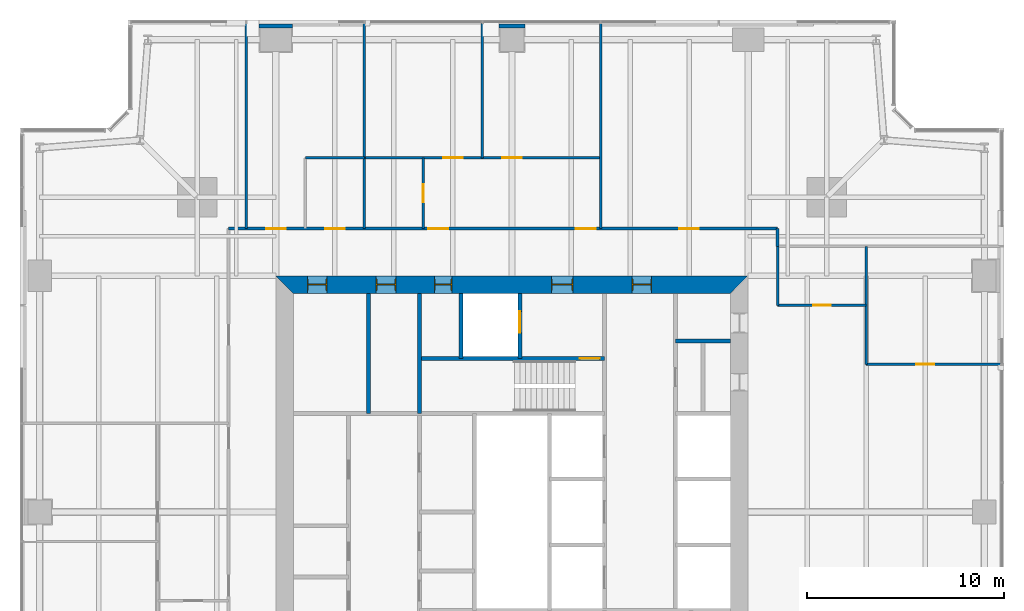
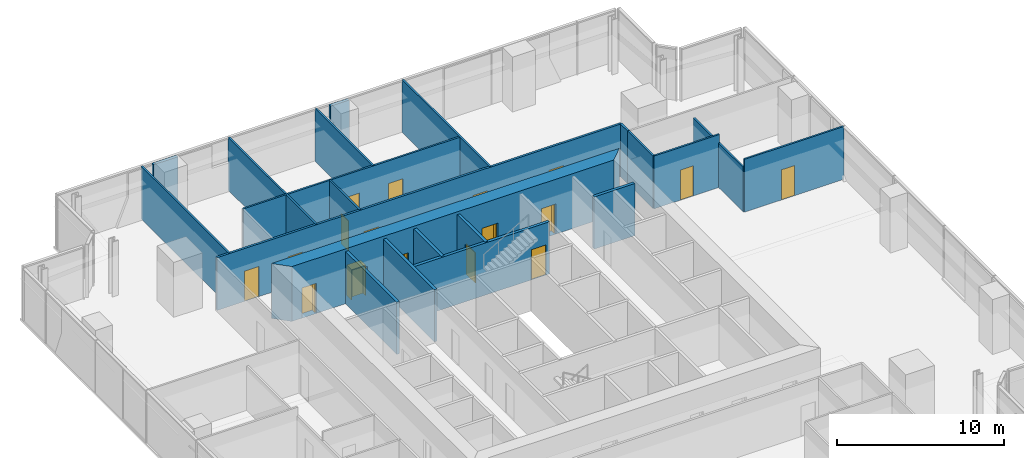
# One storey, part 11 of 14: 22 walls, 17 doors, 17 openings.
"""IFC4 building model written with IfcOpenShell, lengths in metres."""

from ifc_helpers import new_model, si_unit, direction, frame, frame_2d, origin, place, context, subcontext, project, spatial, polyline, rectangle, outline, extrude, material, layer, layer_set, type_object, element, fill, save


model = new_model("IFC4")

# Units and contexts
model_context = context("Model", 3, precision=1e-05, world=origin(), true_north=direction((0.0, 1.0)))
body_context = subcontext(model_context, "Body", "Model", "MODEL_VIEW")
ifc_project = project(units=[si_unit("LENGTHUNIT", "METRE"), si_unit("AREAUNIT", "SQUARE_METRE"), si_unit("VOLUMEUNIT", "CUBIC_METRE"), si_unit("PLANEANGLEUNIT", "RADIAN"), si_unit("MASSUNIT", "GRAM", prefix="KILO")], contexts=[model_context])

# Site, building, storey
site_placement = place(None, origin())
site = spatial("IfcSite", under=ifc_project, at=site_placement, CompositionType="ELEMENT")
building_placement = place(site_placement, origin())
building = spatial("IfcBuilding", under=site, at=building_placement, Name="Fenwick Lantern Interchange", CompositionType="ELEMENT")
storey_placement = place(building_placement, frame((0.0, 0.0, 197.800048828125)))
storey = spatial("IfcBuildingStorey", under=building, at=storey_placement, Name="L46", CompositionType="ELEMENT", Elevation=197.800048828125)

# Walls
ifc_material_1 = material(Name="Fire-rated gypsum board encasement on steel studs, 2 hour", Category="steel")
ifc_layer_1 = layer(ifc_material_1, 1.300048828125)
ifc_layer_set_1 = layer_set([ifc_layer_1], Name="COLUMN PIER 1300")
wall_type_1 = type_object("IfcWallType", Name="COLUMN PIER 1300", PredefinedType="PARTITIONING", material=ifc_layer_set_1)
wall_1_placement = place(storey_placement, frame((25.0, 49.800048828125, 0.0), z_axis=(0.0, 0.0, 1.0), x_axis=(0.0, -1.0, 0.0)))
element("IfcWall", 1, at=wall_1_placement, inside=storey, type_object=wall_type_1, Name="L46/W/PIER/CN3", PredefinedType="PARTITIONING", context=body_context, shape_type="SweptSolid", body=[
    extrude(rectangle(XDim=0.199951171875, YDim=1.300048828125, at=frame_2d((0.10009765625, 0.0))), origin(), (0.0, 0.0, 1.0), 3.849853515625),
])
ifc_layer_2 = layer(ifc_material_1, 1.699951171875)
ifc_layer_set_2 = layer_set([ifc_layer_2], Name="COLUMN PIER 1700")
wall_type_2 = type_object("IfcWallType", Name="COLUMN PIER 1700", PredefinedType="PARTITIONING", material=ifc_layer_set_2)
wall_2_placement = place(storey_placement, frame((13.0, 49.800048828125, 0.0), z_axis=(0.0, 0.0, 1.0), x_axis=(0.0, -1.0, 0.0)))
element("IfcWall", 2, at=wall_2_placement, inside=storey, type_object=wall_type_2, Name="L46/W/PIER/CN4", PredefinedType="PARTITIONING", context=body_context, shape_type="SweptSolid", body=[
    extrude(rectangle(XDim=0.199951171875, YDim=1.699951171875, at=frame_2d((0.10009765625, 0.0))), origin(), (0.0, 0.0, 1.0), 3.849853515625),
])

# Wall, opening, door
ifc_material_2 = material(Name="Concrete masonry ASTM C90 Grade N", Category="masonry")
ifc_layer_3 = layer(ifc_material_2, 0.199951171875)
ifc_layer_set_3 = layer_set([ifc_layer_3], Name="Concrete masonry ASTM C90 Grade N")
wall_type_3 = type_object("IfcWallType", Name="CORE PARTITION 200", PredefinedType="PARTITIONING", material=ifc_layer_set_3)
wall_3_placement = place(storey_placement, frame((25.39990234375, 36.10009765625, 0.0), z_axis=(0.0, 0.0, 1.0), x_axis=(0.0, -1.0, 0.0)))
wall_3 = element("IfcWall", 3, at=wall_3_placement, inside=storey, type_object=wall_type_3, Name="L46/W/COREN/h1", PredefinedType="PARTITIONING", context=body_context, shape_type="SweptSolid", body=[
    extrude(rectangle(XDim=3.300048828125, YDim=0.199951171875, at=frame_2d((1.64990234375, 0.0))), origin(), (0.0, 0.0, 1.0), 3.800048828125),
])
opening_1_placement = place(wall_3_placement, frame((0.89990234375, 0.0, 0.0)))
opening_1 = element("IfcOpeningElement", 4, at=opening_1_placement, cuts=wall_3, Name="Opening LD-FL2", PredefinedType="OPENING", context=body_context, shape_type="SweptSolid", body=[
    extrude(rectangle(XDim=1.10009765625, YDim=2.199951171875, at=frame_2d((0.550048828125, 1.10009765625))), frame((0.0, 0.10986328125, 0.0), z_axis=(0.0, -1.0, 0.0), x_axis=(1.0, 0.0, 0.0)), (0.0, 0.0, 1.0), 0.219970703125),
])
ifc_material_3 = material(Name="Steel door and frame", Category="steel")
door_type_1 = type_object("IfcDoorType", Name="LIFT LANDING DOOR 1100 X 2200", OperationType="DOUBLE_DOOR_SLIDING", PredefinedType="DOOR", material=ifc_material_3)
door_1_placement = place(opening_1_placement, origin())
door_1 = element("IfcDoor", 5, at=door_1_placement, inside=storey, type_object=door_type_1, Name="Lift landing door FL2", OperationType="DOUBLE_DOOR_SLIDING", OverallHeight=2.199951171875, OverallWidth=1.10009765625, PredefinedType="DOOR", context=body_context, shape_type="SweptSolid", body=[
    extrude(rectangle(XDim=1.10009765625, YDim=2.199951171875, at=frame_2d((0.550048828125, 1.10009765625))), frame((0.0, 0.02490234375, 0.0), z_axis=(0.0, -1.0, 0.0), x_axis=(1.0, 0.0, 0.0)), (0.0, 0.0, 1.0), 0.050048828125),
])
fill(opening_1, door_1)

# Walls
wall_4_placement = place(storey_placement, frame((22.39990234375, 36.10009765625, 0.0), z_axis=(0.0, 0.0, 1.0), x_axis=(0.0, -1.0, 0.0)))
element("IfcWall", 6, at=wall_4_placement, inside=storey, type_object=wall_type_3, Name="L46/W/COREN/h2", PredefinedType="PARTITIONING", context=body_context, shape_type="SweptSolid", body=[
    extrude(rectangle(XDim=3.300048828125, YDim=0.199951171875, at=frame_2d((1.64990234375, 0.0))), origin(), (0.0, 0.0, 1.0), 3.800048828125),
])
wall_5_placement = place(storey_placement, frame((17.699951171875, 36.10009765625, 0.0), z_axis=(0.0, 0.0, 1.0), x_axis=(0.0, -1.0, 0.0)))
element("IfcWall", 7, at=wall_5_placement, inside=storey, type_object=wall_type_3, Name="L46/W/COREN/i2", PredefinedType="PARTITIONING", context=body_context, shape_type="SweptSolid", body=[
    extrude(rectangle(XDim=6.10009765625, YDim=0.199951171875, at=frame_2d((3.050048828125, 0.0))), origin(), (0.0, 0.0, 1.0), 3.800048828125),
])
wall_6_placement = place(storey_placement, frame((36.10009765625, 33.699951171875, 0.0), z_axis=(0.0, 0.0, 1.0), x_axis=(-1.0, 0.0, 0.0)))
element("IfcWall", 8, at=wall_6_placement, inside=storey, type_object=wall_type_3, Name="L46/W/COREN/p1", PredefinedType="PARTITIONING", context=body_context, shape_type="SweptSolid", body=[
    extrude(rectangle(XDim=2.800048828125, YDim=0.199951171875, at=frame_2d((1.39990234375, 0.0))), origin(), (0.0, 0.0, 1.0), 3.800048828125),
])

# Wall, openings, doors
ifc_material_4 = material(Name="Concrete f'c 70 MPa", Category="concrete")
ifc_layer_4 = layer(ifc_material_4, 0.89990234375)
ifc_layer_set_4 = layer_set([ifc_layer_4], Name="CORE WALL 900")
wall_type_4 = type_object("IfcWallType", Name="CORE WALL 900", PredefinedType="SHEAR", material=ifc_layer_set_4)
wall_7_placement = place(storey_placement, frame((37.0, 36.550048828125, 0.0), z_axis=(0.0, 0.0, 1.0), x_axis=(-1.0, 0.0, 0.0)))
wall_7 = element("IfcWall", 9, at=wall_7_placement, inside=storey, type_object=wall_type_4, Name="L46/CORE/N", PredefinedType="SHEAR", context=body_context, shape_type="SweptSolid", body=[
    extrude(outline(polyline([(0.0, -0.449951171875), (24.0, -0.449951171875), (23.10009765625, 0.449951171875), (0.89990234375, 0.449951171875), (0.0, -0.449951171875)])), origin(), (0.0, 0.0, 1.0), 4.0),
])
opening_2_placement = place(wall_7_placement, frame((4.89990234375, 0.0, 0.0)))
opening_2 = element("IfcOpeningElement", 10, at=opening_2_placement, cuts=wall_7, Name="Opening L46-D015", PredefinedType="OPENING", context=body_context, shape_type="SweptSolid", body=[
    extrude(rectangle(XDim=1.0, YDim=2.199951171875, at=frame_2d((0.5, 1.10009765625))), frame((0.0, 0.4599609375, 0.0), z_axis=(0.0, -1.0, 0.0), x_axis=(1.0, 0.0, 0.0)), (0.0, 0.0, 1.0), 0.919921875),
])
opening_3_placement = place(wall_7_placement, frame((8.89990234375, 0.0, 0.0)))
opening_3 = element("IfcOpeningElement", 11, at=opening_3_placement, cuts=wall_7, Name="Opening L46-D016", PredefinedType="OPENING", context=body_context, shape_type="SweptSolid", body=[
    extrude(rectangle(XDim=1.10009765625, YDim=2.199951171875, at=frame_2d((0.550048828125, 1.10009765625))), frame((0.0, 0.4599609375, 0.0), z_axis=(0.0, -1.0, 0.0), x_axis=(1.0, 0.0, 0.0)), (0.0, 0.0, 1.0), 0.919921875),
])
opening_4_placement = place(wall_7_placement, frame((15.050048828125, 0.0, 0.0)))
opening_4 = element("IfcOpeningElement", 12, at=opening_4_placement, cuts=wall_7, Name="Opening L46-D018", PredefinedType="OPENING", context=body_context, shape_type="SweptSolid", body=[
    extrude(rectangle(XDim=0.89990234375, YDim=2.199951171875, at=frame_2d((0.449951171875, 1.10009765625))), frame((0.0, 0.4599609375, 0.0), z_axis=(0.0, -1.0, 0.0), x_axis=(1.0, 0.0, 0.0)), (0.0, 0.0, 1.0), 0.919921875),
])
opening_5_placement = place(wall_7_placement, frame((17.89990234375, 0.0, 0.0)))
opening_5 = element("IfcOpeningElement", 13, at=opening_5_placement, cuts=wall_7, Name="Opening L46-D019", PredefinedType="OPENING", context=body_context, shape_type="SweptSolid", body=[
    extrude(rectangle(XDim=1.0, YDim=2.199951171875, at=frame_2d((0.5, 1.10009765625))), frame((0.0, 0.4599609375, 0.0), z_axis=(0.0, -1.0, 0.0), x_axis=(1.0, 0.0, 0.0)), (0.0, 0.0, 1.0), 0.919921875),
])
opening_6_placement = place(wall_7_placement, frame((21.39990234375, 0.0, 0.0)))
opening_6 = element("IfcOpeningElement", 14, at=opening_6_placement, cuts=wall_7, Name="Opening L46-D020", PredefinedType="OPENING", context=body_context, shape_type="SweptSolid", body=[
    extrude(rectangle(XDim=1.0, YDim=2.199951171875, at=frame_2d((0.5, 1.10009765625))), frame((0.0, 0.4599609375, 0.0), z_axis=(0.0, -1.0, 0.0), x_axis=(1.0, 0.0, 0.0)), (0.0, 0.0, 1.0), 0.919921875),
])
door_type_2 = type_object("IfcDoorType", Name="CORE LOBBY DOOR 1000 X 2200", OperationType="SINGLE_SWING_LEFT", PredefinedType="DOOR", material=ifc_material_3)
door_2_placement = place(opening_2_placement, origin())
door_2 = element("IfcDoor", 15, at=door_2_placement, inside=storey, type_object=door_type_2, Name="Core lobby door", OperationType="SINGLE_SWING_LEFT", OverallHeight=2.199951171875, OverallWidth=1.0, PredefinedType="DOOR", context=body_context, shape_type="SweptSolid", body=[
    extrude(rectangle(XDim=1.0, YDim=2.199951171875, at=frame_2d((0.5, 1.10009765625))), frame((0.0, 0.02490234375, 0.0), z_axis=(0.0, -1.0, 0.0), x_axis=(1.0, 0.0, 0.0)), (0.0, 0.0, 1.0), 0.050048828125),
    extrude(outline(polyline([(0.0, 0.0), (0.0400390625, 0.0), (0.0400390625, 2.159912109375), (0.9599609375, 2.159912109375), (0.9599609375, 0.0), (1.0, 0.0), (1.0, 2.199951171875), (0.0, 2.199951171875), (0.0, 0.0)])), frame((0.0, 0.300048828125, 0.0), z_axis=(0.0, -1.0, 0.0), x_axis=(1.0, 0.0, 0.0)), (0.0, 0.0, 1.0), 0.60009765625),
])
fill(opening_2, door_2)
door_type_3 = type_object("IfcDoorType", Name="FIRE LOBBY DOOR 1100 X 2200", OperationType="SINGLE_SWING_LEFT", PredefinedType="DOOR", material=ifc_material_3)
door_3_placement = place(opening_3_placement, origin())
door_3 = element("IfcDoor", 16, at=door_3_placement, inside=storey, type_object=door_type_3, Name="Fire lobby door", OperationType="SINGLE_SWING_LEFT", OverallHeight=2.199951171875, OverallWidth=1.10009765625, PredefinedType="DOOR", context=body_context, shape_type="SweptSolid", body=[
    extrude(rectangle(XDim=1.10009765625, YDim=2.199951171875, at=frame_2d((0.550048828125, 1.10009765625))), frame((0.0, 0.02490234375, 0.0), z_axis=(0.0, -1.0, 0.0), x_axis=(1.0, 0.0, 0.0)), (0.0, 0.0, 1.0), 0.050048828125),
    extrude(outline(polyline([(0.0, 0.0), (0.0400390625, 0.0), (0.0400390625, 2.159912109375), (1.06005859375, 2.159912109375), (1.06005859375, 0.0), (1.10009765625, 0.0), (1.10009765625, 2.199951171875), (0.0, 2.199951171875), (0.0, 0.0)])), frame((0.0, 0.300048828125, 0.0), z_axis=(0.0, -1.0, 0.0), x_axis=(1.0, 0.0, 0.0)), (0.0, 0.0, 1.0), 0.60009765625),
])
fill(opening_3, door_3)
door_type_4 = type_object("IfcDoorType", Name="SERVICE DOOR 900 X 2200", OperationType="SINGLE_SWING_LEFT", PredefinedType="DOOR", material=ifc_material_3)
door_4_placement = place(opening_4_placement, origin())
door_4 = element("IfcDoor", 17, at=door_4_placement, inside=storey, type_object=door_type_4, Name="Service door", OperationType="SINGLE_SWING_LEFT", OverallHeight=2.199951171875, OverallWidth=0.89990234375, PredefinedType="DOOR", context=body_context, shape_type="SweptSolid", body=[
    extrude(rectangle(XDim=0.89990234375, YDim=2.199951171875, at=frame_2d((0.449951171875, 1.10009765625))), frame((0.0, 0.02490234375, 0.0), z_axis=(0.0, -1.0, 0.0), x_axis=(1.0, 0.0, 0.0)), (0.0, 0.0, 1.0), 0.050048828125),
    extrude(outline(polyline([(0.0, 0.0), (0.0400390625, 0.0), (0.0400390625, 2.159912109375), (0.85986328125, 2.159912109375), (0.85986328125, 0.0), (0.89990234375, 0.0), (0.89990234375, 2.199951171875), (0.0, 2.199951171875), (0.0, 0.0)])), frame((0.0, 0.300048828125, 0.0), z_axis=(0.0, -1.0, 0.0), x_axis=(1.0, 0.0, 0.0)), (0.0, 0.0, 1.0), 0.60009765625),
])
fill(opening_4, door_4)
ifc_material_5 = material(Name="Hardwood door and steel frame", Category="steel")
door_type_5 = type_object("IfcDoorType", Name="WC DOOR 1000 X 2200", OperationType="SINGLE_SWING_LEFT", PredefinedType="DOOR", material=ifc_material_5)
door_5_placement = place(opening_5_placement, origin())
door_5 = element("IfcDoor", 18, at=door_5_placement, inside=storey, type_object=door_type_5, Name="Wc door", OperationType="SINGLE_SWING_RIGHT", OverallHeight=2.199951171875, OverallWidth=1.0, PredefinedType="DOOR", context=body_context, shape_type="SweptSolid", body=[
    extrude(rectangle(XDim=1.0, YDim=2.199951171875, at=frame_2d((0.5, 1.10009765625))), frame((0.0, 0.02490234375, 0.0), z_axis=(0.0, -1.0, 0.0), x_axis=(1.0, 0.0, 0.0)), (0.0, 0.0, 1.0), 0.050048828125),
    extrude(outline(polyline([(0.0, 0.0), (0.0400390625, 0.0), (0.0400390625, 2.159912109375), (0.9599609375, 2.159912109375), (0.9599609375, 0.0), (1.0, 0.0), (1.0, 2.199951171875), (0.0, 2.199951171875), (0.0, 0.0)])), frame((0.0, 0.300048828125, 0.0), z_axis=(0.0, -1.0, 0.0), x_axis=(1.0, 0.0, 0.0)), (0.0, 0.0, 1.0), 0.60009765625),
])
fill(opening_5, door_5)
door_6_placement = place(opening_6_placement, origin())
door_6 = element("IfcDoor", 19, at=door_6_placement, inside=storey, type_object=door_type_5, Name="Wc door", OperationType="SINGLE_SWING_RIGHT", OverallHeight=2.199951171875, OverallWidth=1.0, PredefinedType="DOOR", context=body_context, shape_type="SweptSolid", body=[
    extrude(rectangle(XDim=1.0, YDim=2.199951171875, at=frame_2d((0.5, 1.10009765625))), frame((0.0, 0.02490234375, 0.0), z_axis=(0.0, -1.0, 0.0), x_axis=(1.0, 0.0, 0.0)), (0.0, 0.0, 1.0), 0.050048828125),
    extrude(outline(polyline([(0.0, 0.0), (0.0400390625, 0.0), (0.0400390625, 2.159912109375), (0.9599609375, 2.159912109375), (0.9599609375, 0.0), (1.0, 0.0), (1.0, 2.199951171875), (0.0, 2.199951171875), (0.0, 0.0)])), frame((0.0, 0.300048828125, 0.0), z_axis=(0.0, -1.0, 0.0), x_axis=(1.0, 0.0, 0.0)), (0.0, 0.0, 1.0), 0.60009765625),
])
fill(opening_6, door_6)

# Wall
ifc_material_6 = material(Name="Gypsum board on steel studs, 1 hour", Category="steel")
ifc_layer_5 = layer(ifc_material_6, 0.14990234375)
ifc_layer_set_5 = layer_set([ifc_layer_5], Name="CORRIDOR WALL 150")
wall_type_5 = type_object("IfcWallType", Name="CORRIDOR WALL 150", PredefinedType="PARTITIONING", material=ifc_layer_set_5)
wall_8_placement = place(storey_placement, frame((38.5, 38.5, 0.0), z_axis=(0.0, 0.0, 1.0), x_axis=(0.0, 1.0, 0.0)))
element("IfcWall", 20, at=wall_8_placement, inside=storey, type_object=wall_type_5, Name="L46/W/OFF/N/CWJ", PredefinedType="PARTITIONING", context=body_context, shape_type="SweptSolid", body=[
    extrude(rectangle(XDim=0.89990234375, YDim=0.14990234375, at=frame_2d((0.449951171875, 0.0))), origin(), (0.0, 0.0, 1.0), 3.849853515625),
])

# Wall, openings, doors
wall_9_placement = place(storey_placement, frame((38.5, 39.39990234375, 0.0), z_axis=(0.0, 0.0, 1.0), x_axis=(-1.0, 0.0, 0.0)))
wall_9 = element("IfcWall", 21, at=wall_9_placement, inside=storey, type_object=wall_type_5, Name="L46/W/OFF/N/CW2", PredefinedType="PARTITIONING", context=body_context, shape_type="SweptSolid", body=[
    extrude(rectangle(XDim=27.89990234375, YDim=0.14990234375, at=frame_2d((13.949951171875, 0.0))), origin(), (0.0, 0.0, 1.0), 3.849853515625),
])
opening_7_placement = place(wall_9_placement, frame((9.25, 0.0, 0.0)))
opening_7 = element("IfcOpeningElement", 22, at=opening_7_placement, cuts=wall_9, Name="Opening L46-D032", PredefinedType="OPENING", context=body_context, shape_type="SweptSolid", body=[
    extrude(rectangle(XDim=1.0, YDim=2.199951171875, at=frame_2d((0.5, 1.10009765625))), frame((0.0, 0.0849609375, 0.0), z_axis=(0.0, -1.0, 0.0), x_axis=(1.0, 0.0, 0.0)), (0.0, 0.0, 1.0), 0.169921875),
])
opening_8_placement = place(wall_9_placement, frame((16.75, 0.0, 0.0)))
opening_8 = element("IfcOpeningElement", 23, at=opening_8_placement, cuts=wall_9, Name="Opening L46-D033", PredefinedType="OPENING", context=body_context, shape_type="SweptSolid", body=[
    extrude(rectangle(XDim=1.0, YDim=2.199951171875, at=frame_2d((0.5, 1.10009765625))), frame((0.0, 0.0849609375, 0.0), z_axis=(0.0, -1.0, 0.0), x_axis=(1.0, 0.0, 0.0)), (0.0, 0.0, 1.0), 0.169921875),
])
opening_9_placement = place(wall_9_placement, frame((4.0, 0.0, 0.0)))
opening_9 = element("IfcOpeningElement", 24, at=opening_9_placement, cuts=wall_9, Name="Opening L46-D037", PredefinedType="OPENING", context=body_context, shape_type="SweptSolid", body=[
    extrude(rectangle(XDim=1.0, YDim=2.199951171875, at=frame_2d((0.5, 1.10009765625))), frame((0.0, 0.0849609375, 0.0), z_axis=(0.0, -1.0, 0.0), x_axis=(1.0, 0.0, 0.0)), (0.0, 0.0, 1.0), 0.169921875),
])
opening_10_placement = place(wall_9_placement, frame((22.0, 0.0, 0.0)))
opening_10 = element("IfcOpeningElement", 25, at=opening_10_placement, cuts=wall_9, Name="Opening L46-D038", PredefinedType="OPENING", context=body_context, shape_type="SweptSolid", body=[
    extrude(rectangle(XDim=1.0, YDim=2.199951171875, at=frame_2d((0.5, 1.10009765625))), frame((0.0, 0.0849609375, 0.0), z_axis=(0.0, -1.0, 0.0), x_axis=(1.0, 0.0, 0.0)), (0.0, 0.0, 1.0), 0.169921875),
])
opening_11_placement = place(wall_9_placement, frame((25.0, 0.0, 0.0)))
opening_11 = element("IfcOpeningElement", 26, at=opening_11_placement, cuts=wall_9, Name="Opening L46-D039", PredefinedType="OPENING", context=body_context, shape_type="SweptSolid", body=[
    extrude(rectangle(XDim=1.0, YDim=2.199951171875, at=frame_2d((0.5, 1.10009765625))), frame((0.0, 0.0849609375, 0.0), z_axis=(0.0, -1.0, 0.0), x_axis=(1.0, 0.0, 0.0)), (0.0, 0.0, 1.0), 0.169921875),
])
door_type_6 = type_object("IfcDoorType", Name="SUITE ENTRANCE DOOR 1000 X 2200", OperationType="SINGLE_SWING_LEFT", PredefinedType="DOOR", material=ifc_material_3)
door_7_placement = place(opening_7_placement, origin())
door_7 = element("IfcDoor", 27, at=door_7_placement, inside=storey, type_object=door_type_6, Name="Suite entrance door", OperationType="SINGLE_SWING_LEFT", OverallHeight=2.199951171875, OverallWidth=1.0, PredefinedType="DOOR", context=body_context, shape_type="SweptSolid", body=[
    extrude(rectangle(XDim=1.0, YDim=2.199951171875, at=frame_2d((0.5, 1.10009765625))), frame((0.0, 0.02490234375, 0.0), z_axis=(0.0, -1.0, 0.0), x_axis=(1.0, 0.0, 0.0)), (0.0, 0.0, 1.0), 0.050048828125),
])
fill(opening_7, door_7)
door_8_placement = place(opening_8_placement, origin())
door_8 = element("IfcDoor", 28, at=door_8_placement, inside=storey, type_object=door_type_6, Name="Suite entrance door", OperationType="SINGLE_SWING_RIGHT", OverallHeight=2.199951171875, OverallWidth=1.0, PredefinedType="DOOR", context=body_context, shape_type="SweptSolid", body=[
    extrude(rectangle(XDim=1.0, YDim=2.199951171875, at=frame_2d((0.5, 1.10009765625))), frame((0.0, 0.02490234375, 0.0), z_axis=(0.0, -1.0, 0.0), x_axis=(1.0, 0.0, 0.0)), (0.0, 0.0, 1.0), 0.050048828125),
])
fill(opening_8, door_8)
door_9_placement = place(opening_9_placement, frame((1.0, 0.0, 0.0), z_axis=(0.0, 0.0, 1.0), x_axis=(-1.0, 0.0, 0.0)))
door_9 = element("IfcDoor", 29, at=door_9_placement, inside=storey, type_object=door_type_6, Name="Suite entrance door", OperationType="SINGLE_SWING_LEFT", OverallHeight=2.199951171875, OverallWidth=1.0, PredefinedType="DOOR", context=body_context, shape_type="SweptSolid", body=[
    extrude(rectangle(XDim=1.0, YDim=2.199951171875, at=frame_2d((0.5, 1.10009765625))), frame((0.0, 0.02490234375, 0.0), z_axis=(0.0, -1.0, 0.0), x_axis=(1.0, 0.0, 0.0)), (0.0, 0.0, 1.0), 0.050048828125),
])
fill(opening_9, door_9)
door_10_placement = place(opening_10_placement, frame((1.0, 0.0, 0.0), z_axis=(0.0, 0.0, 1.0), x_axis=(-1.0, 0.0, 0.0)))
door_10 = element("IfcDoor", 30, at=door_10_placement, inside=storey, type_object=door_type_6, Name="Suite entrance door", OperationType="SINGLE_SWING_RIGHT", OverallHeight=2.199951171875, OverallWidth=1.0, PredefinedType="DOOR", context=body_context, shape_type="SweptSolid", body=[
    extrude(rectangle(XDim=1.0, YDim=2.199951171875, at=frame_2d((0.5, 1.10009765625))), frame((0.0, 0.02490234375, 0.0), z_axis=(0.0, -1.0, 0.0), x_axis=(1.0, 0.0, 0.0)), (0.0, 0.0, 1.0), 0.050048828125),
])
fill(opening_10, door_10)
door_11_placement = place(opening_11_placement, frame((1.0, 0.0, 0.0), z_axis=(0.0, 0.0, 1.0), x_axis=(-1.0, 0.0, 0.0)))
door_11 = element("IfcDoor", 31, at=door_11_placement, inside=storey, type_object=door_type_6, Name="Suite entrance door", OperationType="SINGLE_SWING_RIGHT", OverallHeight=2.199951171875, OverallWidth=1.0, PredefinedType="DOOR", context=body_context, shape_type="SweptSolid", body=[
    extrude(rectangle(XDim=1.0, YDim=2.199951171875, at=frame_2d((0.5, 1.10009765625))), frame((0.0, 0.02490234375, 0.0), z_axis=(0.0, -1.0, 0.0), x_axis=(1.0, 0.0, 0.0)), (0.0, 0.0, 1.0), 0.050048828125),
])
fill(opening_11, door_11)

# Wall, opening, door
ifc_material_7 = material(Name="Gypsum board on steel studs, acoustic", Category="steel")
ifc_layer_6 = layer(ifc_material_7, 0.125)
ifc_layer_set_6 = layer_set([ifc_layer_6], Name="OFFICE PARTITION 125")
wall_type_6 = type_object("IfcWallType", Name="OFFICE PARTITION 125", PredefinedType="PARTITIONING", material=ifc_layer_set_6)
wall_10_placement = place(storey_placement, frame((49.85009765625, 32.5, 0.0), z_axis=(0.0, 0.0, 1.0), x_axis=(-1.0, 0.0, 0.0)))
wall_10 = element("IfcWall", 32, at=wall_10_placement, inside=storey, type_object=wall_type_6, Name="L46/W/OFF/E/X325-1", PredefinedType="PARTITIONING", context=body_context, shape_type="SweptSolid", body=[
    extrude(rectangle(XDim=6.85009765625, YDim=0.125, at=frame_2d((3.425048828125, 0.0))), origin(), (0.0, 0.0, 1.0), 3.849853515625),
])
opening_12_placement = place(wall_10_placement, frame((3.39990234375, 0.0, 0.0)))
opening_12 = element("IfcOpeningElement", 33, at=opening_12_placement, cuts=wall_10, Name="Opening L46-D030", PredefinedType="OPENING", context=body_context, shape_type="SweptSolid", body=[
    extrude(rectangle(XDim=0.89990234375, YDim=2.199951171875, at=frame_2d((0.449951171875, 1.10009765625))), frame((0.0, 0.072509765625, 0.0), z_axis=(0.0, -1.0, 0.0), x_axis=(1.0, 0.0, 0.0)), (0.0, 0.0, 1.0), 0.14501953125),
])
door_type_7 = type_object("IfcDoorType", Name="OFFICE DOOR 900 X 2200", OperationType="SINGLE_SWING_LEFT", PredefinedType="DOOR", material=ifc_material_5)
door_12_placement = place(opening_12_placement, frame((0.89990234375, 0.0, 0.0), z_axis=(0.0, 0.0, 1.0), x_axis=(-1.0, 0.0, 0.0)))
door_12 = element("IfcDoor", 34, at=door_12_placement, inside=storey, type_object=door_type_7, Name="Office door", OperationType="SINGLE_SWING_LEFT", OverallHeight=2.199951171875, OverallWidth=0.89990234375, PredefinedType="DOOR", context=body_context, shape_type="SweptSolid", body=[
    extrude(rectangle(XDim=0.89990234375, YDim=2.199951171875, at=frame_2d((0.449951171875, 1.10009765625))), frame((0.0, 0.02490234375, 0.0), z_axis=(0.0, -1.0, 0.0), x_axis=(1.0, 0.0, 0.0)), (0.0, 0.0, 1.0), 0.050048828125),
])
fill(opening_12, door_12)

wall_11_placement = place(storey_placement, frame((43.0, 35.5, 0.0), z_axis=(0.0, 0.0, 1.0), x_axis=(-1.0, 0.0, 0.0)))
wall_11 = element("IfcWall", 35, at=wall_11_placement, inside=storey, type_object=wall_type_6, Name="L46/W/OFF/E/X355-1", PredefinedType="PARTITIONING", context=body_context, shape_type="SweptSolid", body=[
    extrude(rectangle(XDim=4.5, YDim=0.125, at=frame_2d((2.25, 0.0))), origin(), (0.0, 0.0, 1.0), 3.849853515625),
])
opening_13_placement = place(wall_11_placement, frame((1.800048828125, 0.0, 0.0)))
opening_13 = element("IfcOpeningElement", 36, at=opening_13_placement, cuts=wall_11, Name="Opening L46-D031", PredefinedType="OPENING", context=body_context, shape_type="SweptSolid", body=[
    extrude(rectangle(XDim=0.89990234375, YDim=2.199951171875, at=frame_2d((0.449951171875, 1.10009765625))), frame((0.0, 0.072509765625, 0.0), z_axis=(0.0, -1.0, 0.0), x_axis=(1.0, 0.0, 0.0)), (0.0, 0.0, 1.0), 0.14501953125),
])
door_13_placement = place(opening_13_placement, frame((0.89990234375, 0.0, 0.0), z_axis=(0.0, 0.0, 1.0), x_axis=(-1.0, 0.0, 0.0)))
door_13 = element("IfcDoor", 37, at=door_13_placement, inside=storey, type_object=door_type_7, Name="Office door", OperationType="SINGLE_SWING_RIGHT", OverallHeight=2.199951171875, OverallWidth=0.89990234375, PredefinedType="DOOR", context=body_context, shape_type="SweptSolid", body=[
    extrude(rectangle(XDim=0.89990234375, YDim=2.199951171875, at=frame_2d((0.449951171875, 1.10009765625))), frame((0.0, 0.02490234375, 0.0), z_axis=(0.0, -1.0, 0.0), x_axis=(1.0, 0.0, 0.0)), (0.0, 0.0, 1.0), 0.050048828125),
])
fill(opening_13, door_13)

# Walls
wall_12_placement = place(storey_placement, frame((43.0, 32.5, 0.0), z_axis=(0.0, 0.0, 1.0), x_axis=(0.0, 1.0, 0.0)))
element("IfcWall", 38, at=wall_12_placement, inside=storey, type_object=wall_type_6, Name="L46/W/OFF/E/Y70-1", PredefinedType="PARTITIONING", context=body_context, shape_type="SweptSolid", body=[
    extrude(rectangle(XDim=6.0, YDim=0.125, at=frame_2d((3.0, 0.0))), origin(), (0.0, 0.0, 1.0), 3.23779296875),
])
wall_13_placement = place(storey_placement, frame((38.5, 35.5, 0.0), z_axis=(0.0, 0.0, 1.0), x_axis=(0.0, 1.0, 0.0)))
element("IfcWall", 39, at=wall_13_placement, inside=storey, type_object=wall_type_6, Name="L46/W/OFF/E/CWS1", PredefinedType="PARTITIONING", context=body_context, shape_type="SweptSolid", body=[
    extrude(rectangle(XDim=3.0, YDim=0.125, at=frame_2d((1.5, 0.0))), origin(), (0.0, 0.0, 1.0), 3.849853515625),
])
wall_14_placement = place(storey_placement, frame((29.5, 49.85009765625, 0.0), z_axis=(0.0, 0.0, 1.0), x_axis=(0.0, -1.0, 0.0)))
element("IfcWall", 40, at=wall_14_placement, inside=storey, type_object=wall_type_6, Name="L46/W/OFF/N/X205-1", PredefinedType="PARTITIONING", context=body_context, shape_type="SweptSolid", body=[
    extrude(rectangle(XDim=10.4501953125, YDim=0.125, at=frame_2d((5.22509765625, 0.0))), origin(), (0.0, 0.0, 1.0), 3.849853515625),
])
wall_15_placement = place(storey_placement, frame((23.5, 49.85009765625, 0.0), z_axis=(0.0, 0.0, 1.0), x_axis=(0.0, -1.0, 0.0)))
element("IfcWall", 41, at=wall_15_placement, inside=storey, type_object=wall_type_6, Name="L46/W/OFF/N/X265-1", PredefinedType="PARTITIONING", context=body_context, shape_type="SweptSolid", body=[
    extrude(rectangle(XDim=6.85009765625, YDim=0.125, at=frame_2d((3.425048828125, 0.0))), origin(), (0.0, 0.0, 1.0), 3.849853515625),
])

# Wall, opening, door
wall_16_placement = place(storey_placement, frame((20.5, 43.0, 0.0), z_axis=(0.0, 0.0, 1.0), x_axis=(0.0, -1.0, 0.0)))
wall_16 = element("IfcWall", 42, at=wall_16_placement, inside=storey, type_object=wall_type_6, Name="L46/W/OFF/N/X295-1", PredefinedType="PARTITIONING", context=body_context, shape_type="SweptSolid", body=[
    extrude(rectangle(XDim=3.60009765625, YDim=0.125, at=frame_2d((1.800048828125, 0.0))), origin(), (0.0, 0.0, 1.0), 3.849853515625),
])
opening_14_placement = place(wall_16_placement, frame((1.35009765625, 0.0, 0.0)))
opening_14 = element("IfcOpeningElement", 43, at=opening_14_placement, cuts=wall_16, Name="Opening L46-D036", PredefinedType="OPENING", context=body_context, shape_type="SweptSolid", body=[
    extrude(rectangle(XDim=0.89990234375, YDim=2.199951171875, at=frame_2d((0.449951171875, 1.10009765625))), frame((0.0, 0.072509765625, 0.0), z_axis=(0.0, -1.0, 0.0), x_axis=(1.0, 0.0, 0.0)), (0.0, 0.0, 1.0), 0.14501953125),
])
door_14_placement = place(opening_14_placement, frame((0.89990234375, 0.0, 0.0), z_axis=(0.0, 0.0, 1.0), x_axis=(-1.0, 0.0, 0.0)))
door_14 = element("IfcDoor", 44, at=door_14_placement, inside=storey, type_object=door_type_7, Name="Office door", OperationType="SINGLE_SWING_RIGHT", OverallHeight=2.199951171875, OverallWidth=0.89990234375, PredefinedType="DOOR", context=body_context, shape_type="SweptSolid", body=[
    extrude(rectangle(XDim=0.89990234375, YDim=2.199951171875, at=frame_2d((0.449951171875, 1.10009765625))), frame((0.0, 0.02490234375, 0.0), z_axis=(0.0, -1.0, 0.0), x_axis=(1.0, 0.0, 0.0)), (0.0, 0.0, 1.0), 0.050048828125),
])
fill(opening_14, door_14)

# Wall
wall_17_placement = place(storey_placement, frame((17.5, 49.85009765625, 0.0), z_axis=(0.0, 0.0, 1.0), x_axis=(0.0, -1.0, 0.0)))
element("IfcWall", 45, at=wall_17_placement, inside=storey, type_object=wall_type_6, Name="L46/W/OFF/N/X325-1", PredefinedType="PARTITIONING", context=body_context, shape_type="SweptSolid", body=[
    extrude(rectangle(XDim=10.4501953125, YDim=0.125, at=frame_2d((5.22509765625, 0.0))), origin(), (0.0, 0.0, 1.0), 3.849853515625),
])

# Wall, openings, doors
wall_18_placement = place(storey_placement, frame((29.5, 43.0, 0.0), z_axis=(0.0, 0.0, 1.0), x_axis=(-1.0, 0.0, 0.0)))
wall_18 = element("IfcWall", 46, at=wall_18_placement, inside=storey, type_object=wall_type_6, Name="L46/W/OFF/N/Y70-1", PredefinedType="PARTITIONING", context=body_context, shape_type="SweptSolid", body=[
    extrude(rectangle(XDim=12.0, YDim=0.125, at=frame_2d((6.0, 0.0))), origin(), (0.0, 0.0, 1.0), 3.849853515625),
])
opening_15_placement = place(wall_18_placement, frame((4.0, 0.0, 0.0)))
opening_15 = element("IfcOpeningElement", 47, at=opening_15_placement, cuts=wall_18, Name="Opening L46-D034", PredefinedType="OPENING", context=body_context, shape_type="SweptSolid", body=[
    extrude(rectangle(XDim=1.0, YDim=2.199951171875, at=frame_2d((0.5, 1.10009765625))), frame((0.0, 0.072509765625, 0.0), z_axis=(0.0, -1.0, 0.0), x_axis=(1.0, 0.0, 0.0)), (0.0, 0.0, 1.0), 0.14501953125),
])
opening_16_placement = place(wall_18_placement, frame((7.0, 0.0, 0.0)))
opening_16 = element("IfcOpeningElement", 48, at=opening_16_placement, cuts=wall_18, Name="Opening L46-D035", PredefinedType="OPENING", context=body_context, shape_type="SweptSolid", body=[
    extrude(rectangle(XDim=1.0, YDim=2.199951171875, at=frame_2d((0.5, 1.10009765625))), frame((0.0, 0.072509765625, 0.0), z_axis=(0.0, -1.0, 0.0), x_axis=(1.0, 0.0, 0.0)), (0.0, 0.0, 1.0), 0.14501953125),
])
door_type_8 = type_object("IfcDoorType", Name="MEETING ROOM DOOR 1000 X 2200", OperationType="SINGLE_SWING_LEFT", PredefinedType="DOOR", material=ifc_material_5)
door_15_placement = place(opening_15_placement, frame((1.0, 0.0, 0.0), z_axis=(0.0, 0.0, 1.0), x_axis=(-1.0, 0.0, 0.0)))
door_15 = element("IfcDoor", 49, at=door_15_placement, inside=storey, type_object=door_type_8, Name="Meeting room door", OperationType="SINGLE_SWING_LEFT", OverallHeight=2.199951171875, OverallWidth=1.0, PredefinedType="DOOR", context=body_context, shape_type="SweptSolid", body=[
    extrude(rectangle(XDim=1.0, YDim=2.199951171875, at=frame_2d((0.5, 1.10009765625))), frame((0.0, 0.02490234375, 0.0), z_axis=(0.0, -1.0, 0.0), x_axis=(1.0, 0.0, 0.0)), (0.0, 0.0, 1.0), 0.050048828125),
])
fill(opening_15, door_15)
door_16_placement = place(opening_16_placement, frame((1.0, 0.0, 0.0), z_axis=(0.0, 0.0, 1.0), x_axis=(-1.0, 0.0, 0.0)))
door_16 = element("IfcDoor", 50, at=door_16_placement, inside=storey, type_object=door_type_8, Name="Meeting room door", OperationType="SINGLE_SWING_RIGHT", OverallHeight=2.199951171875, OverallWidth=1.0, PredefinedType="DOOR", context=body_context, shape_type="SweptSolid", body=[
    extrude(rectangle(XDim=1.0, YDim=2.199951171875, at=frame_2d((0.5, 1.10009765625))), frame((0.0, 0.02490234375, 0.0), z_axis=(0.0, -1.0, 0.0), x_axis=(1.0, 0.0, 0.0)), (0.0, 0.0, 1.0), 0.050048828125),
])
fill(opening_16, door_16)

# Walls
wall_19_placement = place(storey_placement, frame((17.5, 43.0, 0.0), z_axis=(0.0, 0.0, 1.0), x_axis=(-1.0, 0.0, 0.0)))
element("IfcWall", 51, at=wall_19_placement, inside=storey, type_object=wall_type_6, Name="L46/W/OFF/N/Y70-2", PredefinedType="PARTITIONING", context=body_context, shape_type="SweptSolid", body=[
    extrude(rectangle(XDim=3.0, YDim=0.125, at=frame_2d((1.5, 0.0))), origin(), (0.0, 0.0, 1.0), 3.849853515625),
])
wall_20_placement = place(storey_placement, frame((11.5, 49.85009765625, 0.0), z_axis=(0.0, 0.0, 1.0), x_axis=(0.0, -1.0, 0.0)))
element("IfcWall", 52, at=wall_20_placement, inside=storey, type_object=wall_type_6, Name="L46/W/OFF/W/BACK", PredefinedType="PARTITIONING", context=body_context, shape_type="SweptSolid", body=[
    extrude(rectangle(XDim=10.4501953125, YDim=0.125, at=frame_2d((5.22509765625, 0.0))), origin(), (0.0, 0.0, 1.0), 3.849853515625),
])

# Wall, opening, door
ifc_material_8 = material(Name="Concrete f'c 45 MPa", Category="concrete")
ifc_layer_7 = layer(ifc_material_8, 0.199951171875)
ifc_layer_set_7 = layer_set([ifc_layer_7], Name="STAIR CORE WALL 200")
wall_type_7 = type_object("IfcWallType", Name="STAIR CORE WALL 200", PredefinedType="SOLIDWALL", material=ifc_layer_set_7)
wall_21_placement = place(storey_placement, frame((29.699951171875, 32.800048828125, 0.0), z_axis=(0.0, 0.0, 1.0), x_axis=(-1.0, 0.0, 0.0)))
wall_21 = element("IfcWall", 53, at=wall_21_placement, inside=storey, type_object=wall_type_7, Name="L46/W/COREN/g1", PredefinedType="SOLIDWALL", context=body_context, shape_type="SweptSolid", body=[
    extrude(rectangle(XDim=9.39990234375, YDim=0.199951171875, at=frame_2d((4.699951171875, 0.0))), origin(), (0.0, 0.0, 1.0), 3.800048828125),
])
opening_17_placement = place(wall_21_placement, frame((0.25, 0.0, 0.0)))
opening_17 = element("IfcOpeningElement", 54, at=opening_17_placement, cuts=wall_21, Name="Opening L46-D017", PredefinedType="OPENING", context=body_context, shape_type="SweptSolid", body=[
    extrude(rectangle(XDim=1.0, YDim=2.199951171875, at=frame_2d((0.5, 1.10009765625))), frame((0.0, 0.10986328125, 0.0), z_axis=(0.0, -1.0, 0.0), x_axis=(1.0, 0.0, 0.0)), (0.0, 0.0, 1.0), 0.219970703125),
])
door_type_9 = type_object("IfcDoorType", Name="STAIR DOOR 1000 X 2200", OperationType="SINGLE_SWING_LEFT", PredefinedType="DOOR", material=ifc_material_3)
door_17_placement = place(opening_17_placement, origin())
door_17 = element("IfcDoor", 55, at=door_17_placement, inside=storey, type_object=door_type_9, Name="Stair door", OperationType="SINGLE_SWING_LEFT", OverallHeight=2.199951171875, OverallWidth=1.0, PredefinedType="DOOR", context=body_context, shape_type="SweptSolid", body=[
    extrude(rectangle(XDim=1.0, YDim=2.199951171875, at=frame_2d((0.5, 1.10009765625))), frame((0.0, 0.02490234375, 0.0), z_axis=(0.0, -1.0, 0.0), x_axis=(1.0, 0.0, 0.0)), (0.0, 0.0, 1.0), 0.050048828125),
])
fill(opening_17, door_17)

# Wall
wall_22_placement = place(storey_placement, frame((20.300048828125, 36.10009765625, 0.0), z_axis=(0.0, 0.0, 1.0), x_axis=(0.0, -1.0, 0.0)))
element("IfcWall", 56, at=wall_22_placement, inside=storey, type_object=wall_type_7, Name="L46/W/COREN/i1", PredefinedType="SOLIDWALL", context=body_context, shape_type="SweptSolid", body=[
    extrude(rectangle(XDim=6.10009765625, YDim=0.199951171875, at=frame_2d((3.050048828125, 0.0))), origin(), (0.0, 0.0, 1.0), 3.800048828125),
])

save(model, "model.ifc")
